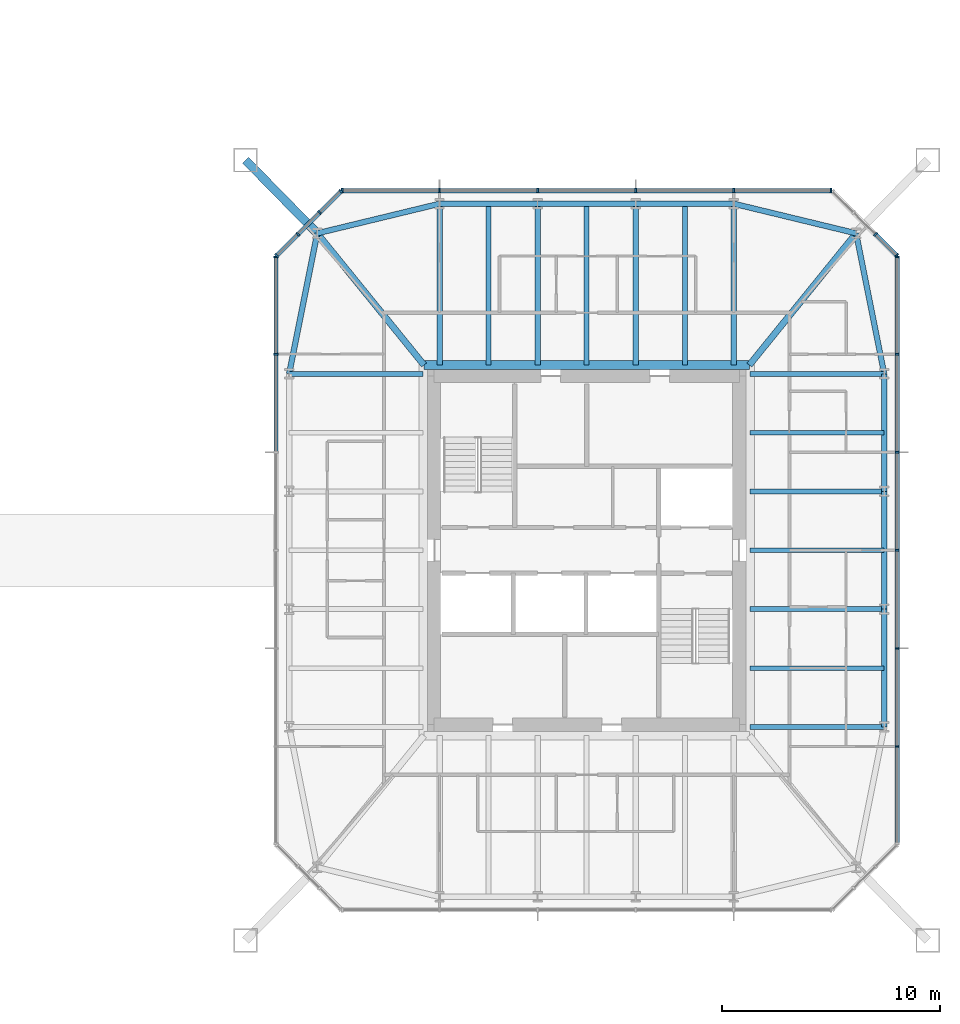
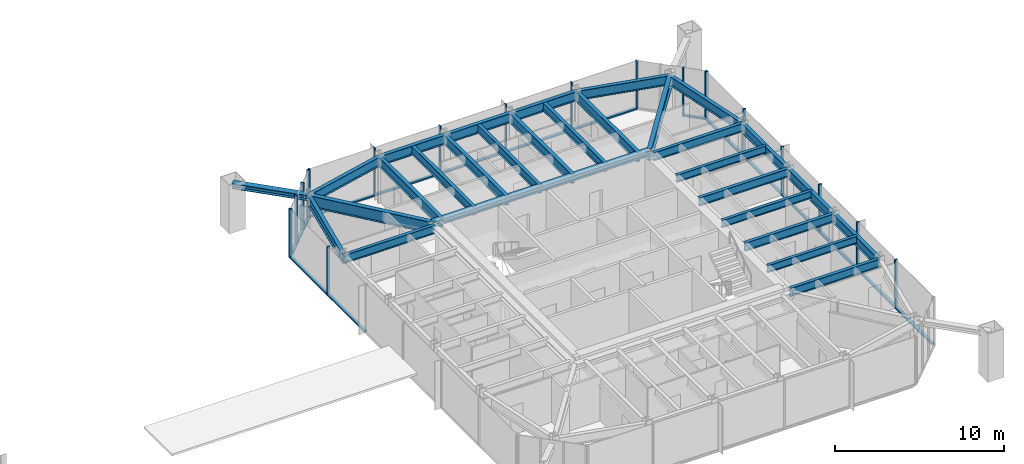
# One storey, part 9 of 25: 38 members, 28 beams, 5 elements without a shape of their own.
"""IFC4 building model written with IfcOpenShell, lengths in metres."""

from ifc_helpers import new_model, si_unit, direction, frame, origin, origin_2d, place, context, subcontext, project, spatial, rectangle, i_section, extrude, material, material_profile, profile_set, type_object, element, aggregate, save


model = new_model("IFC4")

# Units and contexts
model_context = context("Model", 3, precision=1e-05, world=origin(), true_north=direction((0.0, 1.0)))
body_context = subcontext(model_context, "Body", "Model", "MODEL_VIEW")
ifc_project = project(units=[si_unit("LENGTHUNIT", "METRE"), si_unit("AREAUNIT", "SQUARE_METRE"), si_unit("VOLUMEUNIT", "CUBIC_METRE"), si_unit("PLANEANGLEUNIT", "RADIAN"), si_unit("MASSUNIT", "GRAM", prefix="KILO")], contexts=[model_context])

# Site, building, storey
site_placement = place(None, origin())
site = spatial("IfcSite", under=ifc_project, at=site_placement, CompositionType="ELEMENT")
building_placement = place(site_placement, origin())
building = spatial("IfcBuilding", under=site, at=building_placement, Name="Iwan Alto Co-Living Towers", CompositionType="ELEMENT")
storey_placement = place(building_placement, frame((0.0, 0.0, 101.5)))
storey = spatial("IfcBuildingStorey", under=building, at=storey_placement, Name="L27", CompositionType="ELEMENT", Elevation=101.5)

# Curtain wall, members
ifc_material_1 = material(Name="Bronze aluminium unitised frame", Category="aluminium")
curtain_wall_type_1 = type_object("IfcCurtainWallType", Name="CURTAIN WALL CW-C", PredefinedType="NOTDEFINED", material=ifc_material_1)
curtain_wall_1_placement = place(storey_placement, origin())
curtain_wall_1 = element("IfcCurtainWall", 1, at=curtain_wall_1_placement, inside=storey, type_object=curtain_wall_type_1, Name="T2 curtain wall E L27", PredefinedType="NOTDEFINED")
ifc_material_2 = material(Name="Aluminium 6063-T6 bronze anodised", Category="aluminium")
ifc_material_profile_1 = material_profile(ifc_material_2, rectangle(XDim=0.199951171875, YDim=0.080078125, at=origin_2d()), Name="AL 80X200")
ifc_profile_set_1 = profile_set([ifc_material_profile_1], Name="Aluminium 6063-T6 bronze anodised")
member_type_1 = type_object("IfcMemberType", Name="CW-C MULLION 80X200", PredefinedType="MULLION", material=ifc_profile_set_1)
member_1_placement = place(storey_placement, frame((77.25, -9.0, 0.0), z_axis=(0.0, 0.0, 1.0), x_axis=(-1.0, 0.0, 0.0)))
member_1 = element("IfcMember", 2, at=member_1_placement, type_object=member_type_1, Name="CW-C mullion 2", PredefinedType="MULLION", context=body_context, shape_type="SweptSolid", body=[
    extrude(rectangle(XDim=0.199951171875, YDim=0.080078125, at=origin_2d()), origin(), (0.0, 0.0, 1.0), 3.5),
])
member_2_placement = place(storey_placement, frame((77.25, -4.5, 0.0), z_axis=(0.0, 0.0, 1.0), x_axis=(-1.0, 0.0, 0.0)))
member_2 = element("IfcMember", 3, at=member_2_placement, type_object=member_type_1, Name="CW-C mullion 3", PredefinedType="MULLION", context=body_context, shape_type="SweptSolid", body=[
    extrude(rectangle(XDim=0.199951171875, YDim=0.080078125, at=origin_2d()), origin(), (0.0, 0.0, 1.0), 3.5),
])
member_3_placement = place(storey_placement, frame((77.25, 0.0, 0.0), z_axis=(0.0, 0.0, 1.0), x_axis=(-1.0, 0.0, 0.0)))
member_3 = element("IfcMember", 4, at=member_3_placement, type_object=member_type_1, Name="CW-C mullion 4", PredefinedType="MULLION", context=body_context, shape_type="SweptSolid", body=[
    extrude(rectangle(XDim=0.199951171875, YDim=0.080078125, at=origin_2d()), origin(), (0.0, 0.0, 1.0), 3.5),
])
member_4_placement = place(storey_placement, frame((77.25, 4.5, 0.0), z_axis=(0.0, 0.0, 1.0), x_axis=(-1.0, 0.0, 0.0)))
member_4 = element("IfcMember", 5, at=member_4_placement, type_object=member_type_1, Name="CW-C mullion 5", PredefinedType="MULLION", context=body_context, shape_type="SweptSolid", body=[
    extrude(rectangle(XDim=0.199951171875, YDim=0.080078125, at=origin_2d()), origin(), (0.0, 0.0, 1.0), 3.5),
])
member_5_placement = place(storey_placement, frame((77.25, 9.0, 0.0), z_axis=(0.0, 0.0, 1.0), x_axis=(-1.0, 0.0, 0.0)))
member_5 = element("IfcMember", 6, at=member_5_placement, type_object=member_type_1, Name="CW-C mullion 6", PredefinedType="MULLION", context=body_context, shape_type="SweptSolid", body=[
    extrude(rectangle(XDim=0.199951171875, YDim=0.080078125, at=origin_2d()), origin(), (0.0, 0.0, 1.0), 3.5),
])
member_6_placement = place(storey_placement, frame((77.25, 13.4599609375, 0.0), z_axis=(0.0, 0.0, 1.0), x_axis=(-1.0, 0.0, 0.0)))
member_6 = element("IfcMember", 7, at=member_6_placement, type_object=member_type_1, Name="CW-C mullion 7", PredefinedType="MULLION", context=body_context, shape_type="SweptSolid", body=[
    extrude(rectangle(XDim=0.199951171875, YDim=0.080078125, at=origin_2d()), origin(), (0.0, 0.0, 1.0), 3.5),
])

curtain_wall_2_placement = place(storey_placement, origin())
curtain_wall_2 = element("IfcCurtainWall", 8, at=curtain_wall_2_placement, inside=storey, type_object=curtain_wall_type_1, Name="T2 curtain wall N L27", PredefinedType="NOTDEFINED")
member_7_placement = place(storey_placement, frame((74.2099609375, 16.5, 0.0), z_axis=(0.0, 0.0, 1.0), x_axis=(0.0, -1.0, 0.0)))
member_7 = element("IfcMember", 9, at=member_7_placement, type_object=member_type_1, Name="CW-C mullion 1", PredefinedType="MULLION", context=body_context, shape_type="SweptSolid", body=[
    extrude(rectangle(XDim=0.199951171875, YDim=0.080078125, at=origin_2d()), origin(), (0.0, 0.0, 1.0), 3.5),
])
member_8_placement = place(storey_placement, frame((69.75, 16.5, 0.0), z_axis=(0.0, 0.0, 1.0), x_axis=(0.0, -1.0, 0.0)))
member_8 = element("IfcMember", 10, at=member_8_placement, type_object=member_type_1, Name="CW-C mullion 2", PredefinedType="MULLION", context=body_context, shape_type="SweptSolid", body=[
    extrude(rectangle(XDim=0.199951171875, YDim=0.080078125, at=origin_2d()), origin(), (0.0, 0.0, 1.0), 3.5),
])
member_9_placement = place(storey_placement, frame((65.25, 16.5, 0.0), z_axis=(0.0, 0.0, 1.0), x_axis=(0.0, -1.0, 0.0)))
member_9 = element("IfcMember", 11, at=member_9_placement, type_object=member_type_1, Name="CW-C mullion 3", PredefinedType="MULLION", context=body_context, shape_type="SweptSolid", body=[
    extrude(rectangle(XDim=0.199951171875, YDim=0.080078125, at=origin_2d()), origin(), (0.0, 0.0, 1.0), 3.5),
])
member_10_placement = place(storey_placement, frame((60.75, 16.5, 0.0), z_axis=(0.0, 0.0, 1.0), x_axis=(0.0, -1.0, 0.0)))
member_10 = element("IfcMember", 12, at=member_10_placement, type_object=member_type_1, Name="CW-C mullion 4", PredefinedType="MULLION", context=body_context, shape_type="SweptSolid", body=[
    extrude(rectangle(XDim=0.199951171875, YDim=0.080078125, at=origin_2d()), origin(), (0.0, 0.0, 1.0), 3.5),
])
member_11_placement = place(storey_placement, frame((56.25, 16.5, 0.0), z_axis=(0.0, 0.0, 1.0), x_axis=(0.0, -1.0, 0.0)))
member_11 = element("IfcMember", 13, at=member_11_placement, type_object=member_type_1, Name="CW-C mullion 5", PredefinedType="MULLION", context=body_context, shape_type="SweptSolid", body=[
    extrude(rectangle(XDim=0.199951171875, YDim=0.080078125, at=origin_2d()), origin(), (0.0, 0.0, 1.0), 3.5),
])
member_12_placement = place(storey_placement, frame((51.7900390625, 16.5, 0.0), z_axis=(0.0, 0.0, 1.0), x_axis=(0.0, -1.0, 0.0)))
member_12 = element("IfcMember", 14, at=member_12_placement, type_object=member_type_1, Name="CW-C mullion 6", PredefinedType="MULLION", context=body_context, shape_type="SweptSolid", body=[
    extrude(rectangle(XDim=0.199951171875, YDim=0.080078125, at=origin_2d()), origin(), (0.0, 0.0, 1.0), 3.5),
])

curtain_wall_3_placement = place(storey_placement, origin())
curtain_wall_3 = element("IfcCurtainWall", 15, at=curtain_wall_3_placement, inside=storey, type_object=curtain_wall_type_1, Name="T2 curtain wall W L27", PredefinedType="NOTDEFINED")
member_13_placement = place(storey_placement, frame((48.75, 13.4599609375, 0.0), z_axis=(0.0, 0.0, 1.0), x_axis=(1.0, 0.0, 0.0)))
member_13 = element("IfcMember", 16, at=member_13_placement, type_object=member_type_1, Name="CW-C mullion 1", PredefinedType="MULLION", context=body_context, shape_type="SweptSolid", body=[
    extrude(rectangle(XDim=0.199951171875, YDim=0.080078125, at=origin_2d()), origin(), (0.0, 0.0, 1.0), 3.5),
])
member_14_placement = place(storey_placement, frame((48.75, 9.0, 0.0), z_axis=(0.0, 0.0, 1.0), x_axis=(1.0, 0.0, 0.0)))
member_14 = element("IfcMember", 17, at=member_14_placement, type_object=member_type_1, Name="CW-C mullion 2", PredefinedType="MULLION", context=body_context, shape_type="SweptSolid", body=[
    extrude(rectangle(XDim=0.199951171875, YDim=0.080078125, at=origin_2d()), origin(), (0.0, 0.0, 1.0), 3.5),
])

# Member
ifc_material_3 = material(Name="Aluminium 6063-T6 bronze anodised", Category="aluminium")
ifc_material_profile_2 = material_profile(ifc_material_3, rectangle(XDim=0.199951171875, YDim=0.10009765625, at=origin_2d()), Name="AL 200X100")
ifc_profile_set_2 = profile_set([ifc_material_profile_2], Name="Aluminium 6063-T6 bronze anodised")
member_type_2 = type_object("IfcMemberType", Name="CW-C TRANSOM 200X100", PredefinedType="USERDEFINED", material=ifc_profile_set_2)
member_15_placement = place(storey_placement, frame((77.25, -13.419921875, 0.050048828125), z_axis=(0.0, 1.0, 0.0), x_axis=(-1.0, 0.0, 0.0)))
member_15 = element("IfcMember", 18, at=member_15_placement, type_object=member_type_2, Name="CW-C transom 1.1", ObjectType="TRANSOM", PredefinedType="USERDEFINED", context=body_context, shape_type="SweptSolid", body=[
    extrude(rectangle(XDim=0.199951171875, YDim=0.10009765625, at=origin_2d()), origin(), (0.0, 0.0, 1.0), 4.3798828125),
])

member_16_placement = place(storey_placement, frame((77.25, -8.9599609375, 0.050048828125), z_axis=(0.0, 1.0, 0.0), x_axis=(-1.0, 0.0, 0.0)))
member_16 = element("IfcMember", 19, at=member_16_placement, type_object=member_type_2, Name="CW-C transom 2.1", ObjectType="TRANSOM", PredefinedType="USERDEFINED", context=body_context, shape_type="SweptSolid", body=[
    extrude(rectangle(XDim=0.199951171875, YDim=0.10009765625, at=origin_2d()), origin(), (0.0, 0.0, 1.0), 4.419921875),
])

member_17_placement = place(storey_placement, frame((77.25, -4.4599609375, 0.050048828125), z_axis=(0.0, 1.0, 0.0), x_axis=(-1.0, 0.0, 0.0)))
member_17 = element("IfcMember", 20, at=member_17_placement, type_object=member_type_2, Name="CW-C transom 3.1", ObjectType="TRANSOM", PredefinedType="USERDEFINED", context=body_context, shape_type="SweptSolid", body=[
    extrude(rectangle(XDim=0.199951171875, YDim=0.10009765625, at=origin_2d()), origin(), (0.0, 0.0, 1.0), 4.419921875),
])

member_18_placement = place(storey_placement, frame((77.25, 0.0400390625, 0.050048828125), z_axis=(0.0, 1.0, 0.0), x_axis=(-1.0, 0.0, 0.0)))
member_18 = element("IfcMember", 21, at=member_18_placement, type_object=member_type_2, Name="CW-C transom 4.1", ObjectType="TRANSOM", PredefinedType="USERDEFINED", context=body_context, shape_type="SweptSolid", body=[
    extrude(rectangle(XDim=0.199951171875, YDim=0.10009765625, at=origin_2d()), origin(), (0.0, 0.0, 1.0), 4.419921875),
])

member_19_placement = place(storey_placement, frame((77.25, 4.5400390625, 0.050048828125), z_axis=(0.0, 1.0, 0.0), x_axis=(-1.0, 0.0, 0.0)))
member_19 = element("IfcMember", 22, at=member_19_placement, type_object=member_type_2, Name="CW-C transom 5.1", ObjectType="TRANSOM", PredefinedType="USERDEFINED", context=body_context, shape_type="SweptSolid", body=[
    extrude(rectangle(XDim=0.199951171875, YDim=0.10009765625, at=origin_2d()), origin(), (0.0, 0.0, 1.0), 4.419921875),
])

member_20_placement = place(storey_placement, frame((77.25, 9.0400390625, 0.050048828125), z_axis=(0.0, 1.0, 0.0), x_axis=(-1.0, 0.0, 0.0)))
member_20 = element("IfcMember", 23, at=member_20_placement, type_object=member_type_2, Name="CW-C transom 6.1", ObjectType="TRANSOM", PredefinedType="USERDEFINED", context=body_context, shape_type="SweptSolid", body=[
    extrude(rectangle(XDim=0.199951171875, YDim=0.10009765625, at=origin_2d()), origin(), (0.0, 0.0, 1.0), 4.3798828125),
])

aggregate(curtain_wall_1, [member_1, member_2, member_3, member_4, member_5, member_6, member_15, member_16, member_17, member_18, member_19, member_20])

member_21_placement = place(storey_placement, frame((74.169921875, 16.5, 0.050048828125), z_axis=(-1.0, 0.0, 0.0), x_axis=(0.0, -1.0, 0.0)))
member_21 = element("IfcMember", 24, at=member_21_placement, type_object=member_type_2, Name="CW-C transom 1.1", ObjectType="TRANSOM", PredefinedType="USERDEFINED", context=body_context, shape_type="SweptSolid", body=[
    extrude(rectangle(XDim=0.199951171875, YDim=0.10009765625, at=origin_2d()), origin(), (0.0, 0.0, 1.0), 4.3798828125),
])

member_22_placement = place(storey_placement, frame((69.7099609375, 16.5, 0.050048828125), z_axis=(-1.0, 0.0, 0.0), x_axis=(0.0, -1.0, 0.0)))
member_22 = element("IfcMember", 25, at=member_22_placement, type_object=member_type_2, Name="CW-C transom 2.1", ObjectType="TRANSOM", PredefinedType="USERDEFINED", context=body_context, shape_type="SweptSolid", body=[
    extrude(rectangle(XDim=0.199951171875, YDim=0.10009765625, at=origin_2d()), origin(), (0.0, 0.0, 1.0), 4.419921875),
])

member_23_placement = place(storey_placement, frame((65.2099609375, 16.5, 0.050048828125), z_axis=(-1.0, 0.0, 0.0), x_axis=(0.0, -1.0, 0.0)))
member_23 = element("IfcMember", 26, at=member_23_placement, type_object=member_type_2, Name="CW-C transom 3.1", ObjectType="TRANSOM", PredefinedType="USERDEFINED", context=body_context, shape_type="SweptSolid", body=[
    extrude(rectangle(XDim=0.199951171875, YDim=0.10009765625, at=origin_2d()), origin(), (0.0, 0.0, 1.0), 4.419921875),
])

member_24_placement = place(storey_placement, frame((60.7099609375, 16.5, 0.050048828125), z_axis=(-1.0, 0.0, 0.0), x_axis=(0.0, -1.0, 0.0)))
member_24 = element("IfcMember", 27, at=member_24_placement, type_object=member_type_2, Name="CW-C transom 4.1", ObjectType="TRANSOM", PredefinedType="USERDEFINED", context=body_context, shape_type="SweptSolid", body=[
    extrude(rectangle(XDim=0.199951171875, YDim=0.10009765625, at=origin_2d()), origin(), (0.0, 0.0, 1.0), 4.419921875),
])

member_25_placement = place(storey_placement, frame((56.2099609375, 16.5, 0.050048828125), z_axis=(-1.0, 0.0, 0.0), x_axis=(0.0, -1.0, 0.0)))
member_25 = element("IfcMember", 28, at=member_25_placement, type_object=member_type_2, Name="CW-C transom 5.1", ObjectType="TRANSOM", PredefinedType="USERDEFINED", context=body_context, shape_type="SweptSolid", body=[
    extrude(rectangle(XDim=0.199951171875, YDim=0.10009765625, at=origin_2d()), origin(), (0.0, 0.0, 1.0), 4.3798828125),
])

aggregate(curtain_wall_2, [member_7, member_8, member_9, member_10, member_11, member_12, member_21, member_22, member_23, member_24, member_25])

member_26_placement = place(storey_placement, frame((48.75, 13.419921875, 0.050048828125), z_axis=(0.0, -1.0, 0.0), x_axis=(1.0, 0.0, 0.0)))
member_26 = element("IfcMember", 29, at=member_26_placement, type_object=member_type_2, Name="CW-C transom 1.1", ObjectType="TRANSOM", PredefinedType="USERDEFINED", context=body_context, shape_type="SweptSolid", body=[
    extrude(rectangle(XDim=0.199951171875, YDim=0.10009765625, at=origin_2d()), origin(), (0.0, 0.0, 1.0), 4.3798828125),
])

member_27_placement = place(storey_placement, frame((48.75, 8.9599609375, 0.050048828125), z_axis=(0.0, -1.0, 0.0), x_axis=(1.0, 0.0, 0.0)))
member_27 = element("IfcMember", 30, at=member_27_placement, type_object=member_type_2, Name="CW-C transom 2.1", ObjectType="TRANSOM", PredefinedType="USERDEFINED", context=body_context, shape_type="SweptSolid", body=[
    extrude(rectangle(XDim=0.199951171875, YDim=0.10009765625, at=origin_2d()), origin(), (0.0, 0.0, 1.0), 4.419921875),
])

aggregate(curtain_wall_3, [member_13, member_14, member_26, member_27])

# Curtain wall, members
ifc_material_4 = material(Name="Bronze aluminium unitised frame", Category="aluminium")
curtain_wall_type_2 = type_object("IfcCurtainWallType", Name="CURTAIN WALL CW-D", PredefinedType="NOTDEFINED", material=ifc_material_4)
curtain_wall_4_placement = place(storey_placement, origin())
curtain_wall_4 = element("IfcCurtainWall", 31, at=curtain_wall_4_placement, inside=storey, type_object=curtain_wall_type_2, Name="T2 chamfer curtain wall NE L27", PredefinedType="NOTDEFINED")
ifc_material_5 = material(Name="Aluminium 6063-T6 bronze anodised", Category="aluminium")
ifc_material_profile_3 = material_profile(ifc_material_5, rectangle(XDim=0.199951171875, YDim=0.080078125, at=origin_2d()), Name="AL 80X200")
ifc_profile_set_3 = profile_set([ifc_material_profile_3], Name="Aluminium 6063-T6 bronze anodised")
member_type_3 = type_object("IfcMemberType", Name="CW-D MULLION 80X200", PredefinedType="MULLION", material=ifc_profile_set_3)
member_28_placement = place(storey_placement, frame((77.2216796875, 13.5283203125, 0.0), z_axis=(0.0, 0.0, 1.0), x_axis=(-0.707106781187, -0.707106781187, 0.0)))
member_28 = element("IfcMember", 32, at=member_28_placement, type_object=member_type_3, Name="CW-D mullion 1", PredefinedType="MULLION", context=body_context, shape_type="SweptSolid", body=[
    extrude(rectangle(XDim=0.199951171875, YDim=0.080078125, at=origin_2d()), origin(), (0.0, 0.0, 1.0), 3.5),
])
member_29_placement = place(storey_placement, frame((76.25, 14.5, 0.0), z_axis=(0.0, 0.0, 1.0), x_axis=(-0.707106781187, -0.707106781187, 0.0)))
member_29 = element("IfcMember", 33, at=member_29_placement, type_object=member_type_3, Name="CW-D mullion 2", PredefinedType="MULLION", context=body_context, shape_type="SweptSolid", body=[
    extrude(rectangle(XDim=0.199951171875, YDim=0.080078125, at=origin_2d()), origin(), (0.0, 0.0, 1.0), 3.5),
])

curtain_wall_5_placement = place(storey_placement, origin())
curtain_wall_5 = element("IfcCurtainWall", 34, at=curtain_wall_5_placement, inside=storey, type_object=curtain_wall_type_2, Name="T2 chamfer curtain wall NW L27", PredefinedType="NOTDEFINED")
member_30_placement = place(storey_placement, frame((51.7216796875, 16.4716796875, 0.0), z_axis=(0.0, 0.0, 1.0), x_axis=(0.707106781187, -0.707106781187, 0.0)))
member_30 = element("IfcMember", 35, at=member_30_placement, type_object=member_type_3, Name="CW-D mullion 1", PredefinedType="MULLION", context=body_context, shape_type="SweptSolid", body=[
    extrude(rectangle(XDim=0.199951171875, YDim=0.080078125, at=origin_2d()), origin(), (0.0, 0.0, 1.0), 3.5),
])
member_31_placement = place(storey_placement, frame((50.75, 15.5, 0.0), z_axis=(0.0, 0.0, 1.0), x_axis=(0.707106781187, -0.707106781187, 0.0)))
member_31 = element("IfcMember", 36, at=member_31_placement, type_object=member_type_3, Name="CW-D mullion 2", PredefinedType="MULLION", context=body_context, shape_type="SweptSolid", body=[
    extrude(rectangle(XDim=0.199951171875, YDim=0.080078125, at=origin_2d()), origin(), (0.0, 0.0, 1.0), 3.5),
])
member_32_placement = place(storey_placement, frame((49.75, 14.5, 0.0), z_axis=(0.0, 0.0, 1.0), x_axis=(0.707106781187, -0.707106781187, 0.0)))
member_32 = element("IfcMember", 37, at=member_32_placement, type_object=member_type_3, Name="CW-D mullion 3", PredefinedType="MULLION", context=body_context, shape_type="SweptSolid", body=[
    extrude(rectangle(XDim=0.199951171875, YDim=0.080078125, at=origin_2d()), origin(), (0.0, 0.0, 1.0), 3.5),
])
member_33_placement = place(storey_placement, frame((48.7783203125, 13.5283203125, 0.0), z_axis=(0.0, 0.0, 1.0), x_axis=(0.707106781187, -0.707106781187, 0.0)))
member_33 = element("IfcMember", 38, at=member_33_placement, type_object=member_type_3, Name="CW-D mullion 4", PredefinedType="MULLION", context=body_context, shape_type="SweptSolid", body=[
    extrude(rectangle(XDim=0.199951171875, YDim=0.080078125, at=origin_2d()), origin(), (0.0, 0.0, 1.0), 3.5),
])

# Member
ifc_material_6 = material(Name="Aluminium 6063-T6 bronze anodised", Category="aluminium")
ifc_material_profile_4 = material_profile(ifc_material_6, rectangle(XDim=0.199951171875, YDim=0.10009765625, at=origin_2d()), Name="AL 200X100")
ifc_profile_set_4 = profile_set([ifc_material_profile_4], Name="Aluminium 6063-T6 bronze anodised")
member_type_4 = type_object("IfcMemberType", Name="CW-D TRANSOM 200X100", PredefinedType="USERDEFINED", material=ifc_profile_set_4)
member_34_placement = place(storey_placement, frame((77.193359375, 13.556640625, 0.050048828125), z_axis=(-0.707106781187, 0.707106781187, 0.0), x_axis=(-0.707106781187, -0.707106781187, 0.0)))
member_34 = element("IfcMember", 39, at=member_34_placement, type_object=member_type_4, Name="CW-D transom 1.1", ObjectType="TRANSOM", PredefinedType="USERDEFINED", context=body_context, shape_type="SweptSolid", body=[
    extrude(rectangle(XDim=0.199951171875, YDim=0.10009765625, at=origin_2d()), origin(), (0.0, 0.0, 1.0), 1.2939453125),
])

aggregate(curtain_wall_4, [member_28, member_29, member_34])

member_35_placement = place(storey_placement, frame((51.693359375, 16.443359375, 0.050048828125), z_axis=(-0.707106781187, -0.707106781187, 0.0), x_axis=(0.707106781187, -0.707106781187, 0.0)))
member_35 = element("IfcMember", 40, at=member_35_placement, type_object=member_type_4, Name="CW-D transom 1.1", ObjectType="TRANSOM", PredefinedType="USERDEFINED", context=body_context, shape_type="SweptSolid", body=[
    extrude(rectangle(XDim=0.199951171875, YDim=0.10009765625, at=origin_2d()), origin(), (0.0, 0.0, 1.0), 1.2939453125),
])

member_36_placement = place(storey_placement, frame((50.7216796875, 15.4716796875, 0.050048828125), z_axis=(-0.707106781187, -0.707106781187, 0.0), x_axis=(0.707106781187, -0.707106781187, 0.0)))
member_36 = element("IfcMember", 41, at=member_36_placement, type_object=member_type_4, Name="CW-D transom 2.1", ObjectType="TRANSOM", PredefinedType="USERDEFINED", context=body_context, shape_type="SweptSolid", body=[
    extrude(rectangle(XDim=0.199951171875, YDim=0.10009765625, at=origin_2d()), origin(), (0.0, 0.0, 1.0), 1.334228515625),
])

member_37_placement = place(storey_placement, frame((49.7216796875, 14.4716796875, 0.050048828125), z_axis=(-0.707106781187, -0.707106781187, 0.0), x_axis=(0.707106781187, -0.707106781187, 0.0)))
member_37 = element("IfcMember", 42, at=member_37_placement, type_object=member_type_4, Name="CW-D transom 3.1", ObjectType="TRANSOM", PredefinedType="USERDEFINED", context=body_context, shape_type="SweptSolid", body=[
    extrude(rectangle(XDim=0.199951171875, YDim=0.10009765625, at=origin_2d()), origin(), (0.0, 0.0, 1.0), 1.2939453125),
])

aggregate(curtain_wall_5, [member_30, member_31, member_32, member_33, member_35, member_36, member_37])

# Beams
ifc_material_7 = material(Name="Steel ASTM A992 Gr 50", Category="steel")
ifc_material_profile_5 = material_profile(ifc_material_7, i_section(OverallWidth=0.398681640625, OverallDepth=0.385986328125, WebThickness=0.02099609375, FlangeThickness=0.033203125, at=origin_2d()), Name="W14X176")
ifc_profile_set_5 = profile_set([ifc_material_profile_5], Name="Steel ASTM A992 Gr 50")
beam_type_1 = type_object("IfcBeamType", Name="T2 CORE LEDGER BEAM W14X176", PredefinedType="BEAM", material=ifc_profile_set_5)
beam_1_placement = place(storey_placement, frame((70.461669921875, 8.49951171875, 3.076904296875), z_axis=(-1.0, 0.0, 0.0), x_axis=(0.0, -1.0, 0.0)))
element("IfcBeam", 43, at=beam_1_placement, inside=storey, type_object=beam_type_1, Name="T2 core ledger beam N L28", PredefinedType="BEAM", context=body_context, shape_type="SweptSolid", body=[
    extrude(i_section(OverallWidth=0.398681640625, OverallDepth=0.385986328125, WebThickness=0.02099609375, FlangeThickness=0.033203125, at=origin_2d()), origin(), (0.0, 0.0, 1.0), 14.92333984375),
])
ifc_material_8 = material(Name="Steel ASTM A992 Gr 50", Category="steel")
ifc_material_profile_6 = material_profile(ifc_material_8, i_section(OverallWidth=0.2919921875, OverallDepth=0.8408203125, WebThickness=0.0146484375, FlangeThickness=0.021728515625, at=origin_2d()), Name="W33X130")
ifc_profile_set_6 = profile_set([ifc_material_profile_6], Name="Steel ASTM A992 Gr 50")
beam_type_2 = type_object("IfcBeamType", Name="T2 CORNER GIRDER W33X130", PredefinedType="BEAM", material=ifc_profile_set_6)
for number, where, z_axis, x_axis, name in (
    (44, (75.361328125, 14.542724609375, 2.849609375), (-0.629783024592, -0.776771100091, 0.0), (0.776771100091, -0.629783024592, 0.0), "T2 corner girder CNE L28"),
    (45, (50.638671875, 14.542724609375, 2.849609375), (0.629783024592, -0.776771100091, 0.0), (0.776771100091, 0.629783024592, 0.0), "T2 corner girder CNW L28"),
):
    element("IfcBeam", number, at=place(storey_placement, frame(where, z_axis=z_axis, x_axis=x_axis)), inside=storey, type_object=beam_type_2, Name=name, PredefinedType="BEAM", context=body_context, shape_type="SweptSolid", body=[
        extrude(i_section(OverallWidth=0.2919921875, OverallDepth=0.8408203125, WebThickness=0.0146484375, FlangeThickness=0.021728515625, at=origin_2d()), origin(), (0.0, 0.0, 1.0), 7.780029296875),
    ])
ifc_material_9 = material(Name="Steel ASTM A992 Gr 50", Category="steel")
ifc_material_profile_7 = material_profile(ifc_material_9, i_section(OverallWidth=0.25390625, OverallDepth=0.683349609375, WebThickness=0.012451171875, FlangeThickness=0.018798828125, at=origin_2d()), Name="W27X94")
ifc_profile_set_7 = profile_set([ifc_material_profile_7], Name="Steel ASTM A992 Gr 50")
beam_type_3 = type_object("IfcBeamType", Name="T2 EDGE BEAM W27X94", PredefinedType="BEAM", material=ifc_profile_set_7)
beam_2_placement = place(storey_placement, frame((76.64990234375, -8.10009765625, 2.928466796875), z_axis=(0.0, 1.0, 0.0), x_axis=(-1.0, 0.0, 0.0)))
element("IfcBeam", 46, at=beam_2_placement, inside=storey, type_object=beam_type_3, Name="T2 edge beam E1 L28", PredefinedType="BEAM", context=body_context, shape_type="SweptSolid", body=[
    extrude(i_section(OverallWidth=0.25390625, OverallDepth=0.683349609375, WebThickness=0.012451171875, FlangeThickness=0.018798828125, at=origin_2d()), origin(), (0.0, 0.0, 1.0), 5.400146484375),
])
beam_3_placement = place(storey_placement, frame((76.64990234375, -2.699951171875, 2.928466796875), z_axis=(0.0, 1.0, 0.0), x_axis=(-1.0, 0.0, 0.0)))
element("IfcBeam", 47, at=beam_3_placement, inside=storey, type_object=beam_type_3, Name="T2 edge beam E2 L28", PredefinedType="BEAM", context=body_context, shape_type="SweptSolid", body=[
    extrude(i_section(OverallWidth=0.25390625, OverallDepth=0.683349609375, WebThickness=0.012451171875, FlangeThickness=0.018798828125, at=origin_2d()), origin(), (0.0, 0.0, 1.0), 5.39990234375),
])
beam_4_placement = place(storey_placement, frame((76.64990234375, 2.699951171875, 2.928466796875), z_axis=(0.0, 1.0, 0.0), x_axis=(-1.0, 0.0, 0.0)))
element("IfcBeam", 48, at=beam_4_placement, inside=storey, type_object=beam_type_3, Name="T2 edge beam E3 L28", PredefinedType="BEAM", context=body_context, shape_type="SweptSolid", body=[
    extrude(i_section(OverallWidth=0.25390625, OverallDepth=0.683349609375, WebThickness=0.012451171875, FlangeThickness=0.018798828125, at=origin_2d()), origin(), (0.0, 0.0, 1.0), 5.400146484375),
])
beam_5_placement = place(storey_placement, frame((76.64990234375, 8.10009765625, 2.928466796875), z_axis=(-0.196123281025, 0.980579246487, 0.0), x_axis=(-0.980579246487, -0.196123281025, 0.0)))
element("IfcBeam", 49, at=beam_5_placement, inside=storey, type_object=beam_type_3, Name="T2 edge beam E4 L28", PredefinedType="BEAM", context=body_context, shape_type="SweptSolid", body=[
    extrude(i_section(OverallWidth=0.25390625, OverallDepth=0.683349609375, WebThickness=0.012451171875, FlangeThickness=0.018798828125, at=origin_2d()), origin(), (0.0, 0.0, 1.0), 6.5703125),
])
beam_6_placement = place(storey_placement, frame((75.361328125, 14.542724609375, 2.928466796875), z_axis=(-0.971974673138, 0.235085590323, 0.0), x_axis=(-0.235085590323, -0.971974673138, 0.0)))
element("IfcBeam", 50, at=beam_6_placement, inside=storey, type_object=beam_type_3, Name="T2 edge beam CNE L28", PredefinedType="BEAM", context=body_context, shape_type="SweptSolid", body=[
    extrude(i_section(OverallWidth=0.25390625, OverallDepth=0.683349609375, WebThickness=0.012451171875, FlangeThickness=0.018798828125, at=origin_2d()), origin(), (0.0, 0.0, 1.0), 5.773193359375),
])
for number, where, z_axis, x_axis, name in (
    (51, (69.75, 15.89990234375, 2.928466796875), (-1.0, 0.0, 0.0), (0.0, -1.0, 0.0), "T2 edge beam N1 L28"),
    (52, (65.25, 15.89990234375, 2.928466796875), (-1.0, 0.0, 0.0), (0.0, -1.0, 0.0), "T2 edge beam N2 L28"),
    (53, (60.75, 15.89990234375, 2.928466796875), (-1.0, 0.0, 0.0), (0.0, -1.0, 0.0), "T2 edge beam N3 L28"),
):
    element("IfcBeam", number, at=place(storey_placement, frame(where, z_axis=z_axis, x_axis=x_axis)), inside=storey, type_object=beam_type_3, Name=name, PredefinedType="BEAM", context=body_context, shape_type="SweptSolid", body=[
        extrude(i_section(OverallWidth=0.25390625, OverallDepth=0.683349609375, WebThickness=0.012451171875, FlangeThickness=0.018798828125, at=origin_2d()), origin(), (0.0, 0.0, 1.0), 4.5),
    ])
beam_7_placement = place(storey_placement, frame((56.25, 15.89990234375, 2.928466796875), z_axis=(-0.971974673138, -0.235085590323, 0.0), x_axis=(0.235085590323, -0.971974673138, 0.0)))
element("IfcBeam", 54, at=beam_7_placement, inside=storey, type_object=beam_type_3, Name="T2 edge beam N4 L28", PredefinedType="BEAM", context=body_context, shape_type="SweptSolid", body=[
    extrude(i_section(OverallWidth=0.25390625, OverallDepth=0.683349609375, WebThickness=0.012451171875, FlangeThickness=0.018798828125, at=origin_2d()), origin(), (0.0, 0.0, 1.0), 5.773193359375),
])
beam_8_placement = place(storey_placement, frame((50.638671875, 14.542724609375, 2.928466796875), z_axis=(-0.196123281025, -0.980579246487, 0.0), x_axis=(0.980579246487, -0.196123281025, 0.0)))
element("IfcBeam", 55, at=beam_8_placement, inside=storey, type_object=beam_type_3, Name="T2 edge beam CNW L28", PredefinedType="BEAM", context=body_context, shape_type="SweptSolid", body=[
    extrude(i_section(OverallWidth=0.25390625, OverallDepth=0.683349609375, WebThickness=0.012451171875, FlangeThickness=0.018798828125, at=origin_2d()), origin(), (0.0, 0.0, 1.0), 6.5703125),
])

# Member
ifc_material_10 = material(Name="Steel ASTM A992 Gr 50", Category="steel")
ifc_material_profile_8 = material_profile(ifc_material_10, i_section(OverallWidth=0.393798828125, OverallDepth=0.3759765625, WebThickness=0.017333984375, FlangeThickness=0.027587890625, at=origin_2d()), Name="W14X145")
ifc_profile_set_8 = profile_set([ifc_material_profile_8], Name="Steel ASTM A992 Gr 50")
member_type_5 = type_object("IfcMemberType", Name="T2 MEGA COLUMN FLOOR TIE W14X145", PredefinedType="STRUT", material=ifc_profile_set_8)
member_38_placement = place(storey_placement, frame((47.35009765625, 17.89990234375, 3.08203125), z_axis=(0.699770096147, -0.714368121166, 0.0), x_axis=(0.714368121166, 0.699770096147, 0.0)))
element("IfcMember", 56, at=member_38_placement, inside=storey, type_object=member_type_5, Name="T2 mega column floor tie NW L28", PredefinedType="STRUT", context=body_context, shape_type="SweptSolid", body=[
    extrude(i_section(OverallWidth=0.393798828125, OverallDepth=0.3759765625, WebThickness=0.017333984375, FlangeThickness=0.027587890625, at=origin_2d()), origin(), (0.0, 0.0, 1.0), 4.699462890625),
])

# Beams
ifc_material_11 = material(Name="Steel ASTM A992 Gr 50", Category="steel")
ifc_material_profile_9 = material_profile(ifc_material_11, i_section(OverallWidth=0.228271484375, OverallDepth=0.607177734375, WebThickness=0.01123046875, FlangeThickness=0.017333984375, at=origin_2d()), Name="W24X76")
ifc_profile_set_9 = profile_set([ifc_material_profile_9], Name="Steel ASTM A992 Gr 50")
beam_type_4 = type_object("IfcBeamType", Name="T2 RADIAL BEAM W24X76", PredefinedType="BEAM", material=ifc_profile_set_9)
for number, where, z_axis, x_axis, name in (
    (57, (76.64990234375, -8.10009765625, 2.966552734375), (-1.0, 0.0, 0.0), (0.0, -1.0, 0.0), "T2 radial beam E1 L28"),
    (58, (76.64990234375, -2.699951171875, 2.966552734375), (-1.0, 0.0, 0.0), (0.0, -1.0, 0.0), "T2 radial beam E2 L28"),
    (59, (76.64990234375, 2.699951171875, 2.966552734375), (-1.0, 0.0, 0.0), (0.0, -1.0, 0.0), "T2 radial beam E3 L28"),
    (60, (76.64990234375, 8.10009765625, 2.966552734375), (-1.0, 0.0, 0.0), (0.0, -1.0, 0.0), "T2 radial beam E4 L28"),
    (61, (49.35009765625, 8.10009765625, 2.966552734375), (1.0, 0.0, 0.0), (0.0, 1.0, 0.0), "T2 radial beam W1 L28"),
):
    element("IfcBeam", number, at=place(storey_placement, frame(where, z_axis=z_axis, x_axis=x_axis)), inside=storey, type_object=beam_type_4, Name=name, PredefinedType="BEAM", context=body_context, shape_type="SweptSolid", body=[
        extrude(i_section(OverallWidth=0.228271484375, OverallDepth=0.607177734375, WebThickness=0.01123046875, FlangeThickness=0.017333984375, at=origin_2d()), origin(), (0.0, 0.0, 1.0), 6.150390625),
    ])
ifc_material_12 = material(Name="Steel ASTM A992 Gr 50", Category="steel")
ifc_material_profile_10 = material_profile(ifc_material_12, i_section(OverallWidth=0.25390625, OverallDepth=0.683349609375, WebThickness=0.012451171875, FlangeThickness=0.018798828125, at=origin_2d()), Name="W27X94")
ifc_profile_set_10 = profile_set([ifc_material_profile_10], Name="Steel ASTM A992 Gr 50")
beam_type_5 = type_object("IfcBeamType", Name="T2 RADIAL BEAM W27X94", PredefinedType="BEAM", material=ifc_profile_set_10)
for number, where, z_axis, x_axis, name in (
    (62, (69.75, 15.89990234375, 2.928466796875), (0.0, -1.0, 0.0), (1.0, 0.0, 0.0), "T2 radial beam N1 L28"),
    (63, (65.25, 15.89990234375, 2.928466796875), (0.0, -1.0, 0.0), (1.0, 0.0, 0.0), "T2 radial beam N2 L28"),
    (64, (60.75, 15.89990234375, 2.928466796875), (0.0, -1.0, 0.0), (1.0, 0.0, 0.0), "T2 radial beam N3 L28"),
    (65, (56.25, 15.89990234375, 2.928466796875), (0.0, -1.0, 0.0), (1.0, 0.0, 0.0), "T2 radial beam N4 L28"),
):
    element("IfcBeam", number, at=place(storey_placement, frame(where, z_axis=z_axis, x_axis=x_axis)), inside=storey, type_object=beam_type_5, Name=name, PredefinedType="BEAM", context=body_context, shape_type="SweptSolid", body=[
        extrude(i_section(OverallWidth=0.25390625, OverallDepth=0.683349609375, WebThickness=0.012451171875, FlangeThickness=0.018798828125, at=origin_2d()), origin(), (0.0, 0.0, 1.0), 7.400390625),
    ])
ifc_material_13 = material(Name="Steel ASTM A992 Gr 50", Category="steel")
ifc_material_profile_11 = material_profile(ifc_material_13, i_section(OverallWidth=0.209228515625, OverallDepth=0.533447265625, WebThickness=0.01025390625, FlangeThickness=0.015625, at=origin_2d()), Name="W21X62")
ifc_profile_set_11 = profile_set([ifc_material_profile_11], Name="Steel ASTM A992 Gr 50")
beam_type_6 = type_object("IfcBeamType", Name="T2 SECONDARY BEAM W21X62", PredefinedType="JOIST", material=ifc_profile_set_11)
for number, where, z_axis, x_axis, name in (
    (66, (76.64990234375, -5.39990234375, 3.00341796875), (-1.0, 0.0, 0.0), (0.0, -1.0, 0.0), "T2 secondary beam E1 L28"),
    (67, (76.64990234375, 0.0, 3.00341796875), (-1.0, 0.0, 0.0), (0.0, -1.0, 0.0), "T2 secondary beam E2 L28"),
    (68, (76.64990234375, 5.39990234375, 3.00341796875), (-1.0, 0.0, 0.0), (0.0, -1.0, 0.0), "T2 secondary beam E3 L28"),
):
    element("IfcBeam", number, at=place(storey_placement, frame(where, z_axis=z_axis, x_axis=x_axis)), inside=storey, type_object=beam_type_6, Name=name, PredefinedType="JOIST", context=body_context, shape_type="SweptSolid", body=[
        extrude(i_section(OverallWidth=0.209228515625, OverallDepth=0.533447265625, WebThickness=0.01025390625, FlangeThickness=0.015625, at=origin_2d()), origin(), (0.0, 0.0, 1.0), 6.150390625),
    ])
ifc_material_14 = material(Name="Steel ASTM A992 Gr 50", Category="steel")
ifc_material_profile_12 = material_profile(ifc_material_14, i_section(OverallWidth=0.228271484375, OverallDepth=0.607177734375, WebThickness=0.01123046875, FlangeThickness=0.017333984375, at=origin_2d()), Name="W24X76")
ifc_profile_set_12 = profile_set([ifc_material_profile_12], Name="Steel ASTM A992 Gr 50")
beam_type_7 = type_object("IfcBeamType", Name="T2 SECONDARY BEAM W24X76", PredefinedType="JOIST", material=ifc_profile_set_12)
for number, where, z_axis, x_axis, name in (
    (69, (67.5, 15.89990234375, 2.966552734375), (0.0, -1.0, 0.0), (1.0, 0.0, 0.0), "T2 secondary beam N1 L28"),
    (70, (63.0, 15.89990234375, 2.966552734375), (0.0, -1.0, 0.0), (1.0, 0.0, 0.0), "T2 secondary beam N2 L28"),
    (71, (58.5, 15.89990234375, 2.966552734375), (0.0, -1.0, 0.0), (1.0, 0.0, 0.0), "T2 secondary beam N3 L28"),
):
    element("IfcBeam", number, at=place(storey_placement, frame(where, z_axis=z_axis, x_axis=x_axis)), inside=storey, type_object=beam_type_7, Name=name, PredefinedType="JOIST", context=body_context, shape_type="SweptSolid", body=[
        extrude(i_section(OverallWidth=0.228271484375, OverallDepth=0.607177734375, WebThickness=0.01123046875, FlangeThickness=0.017333984375, at=origin_2d()), origin(), (0.0, 0.0, 1.0), 7.400390625),
    ])

save(model, "model.ifc")
